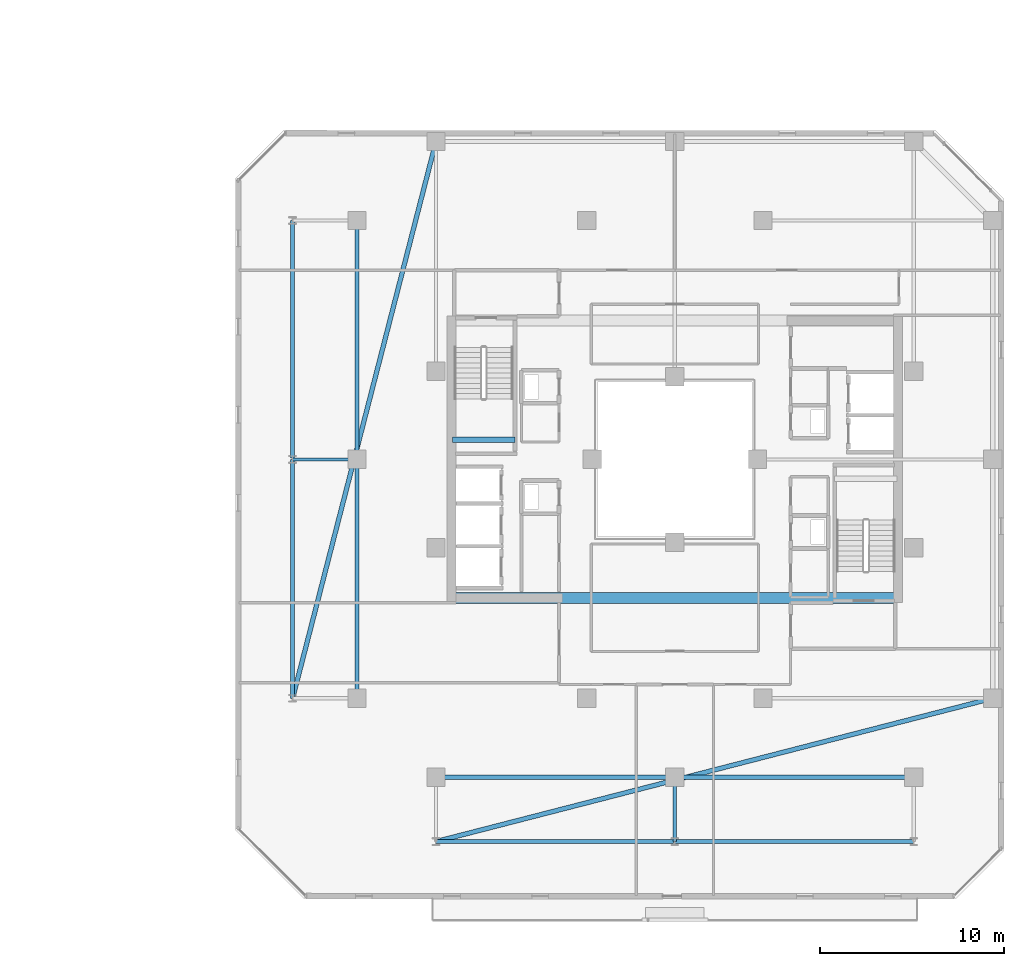
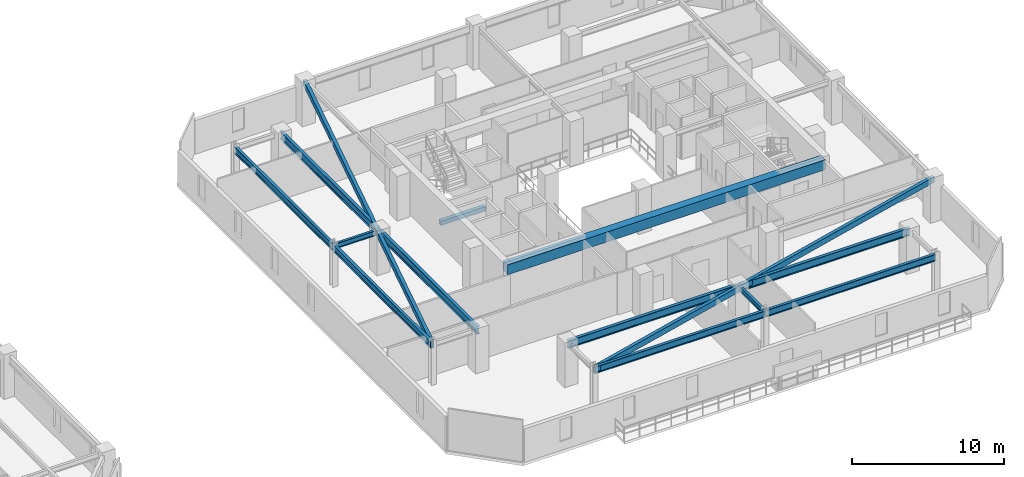
# One storey, part 12 of 33: 14 beams.
"""IFC4 building model written with IfcOpenShell, lengths in metres."""

from ifc_helpers import new_model, si_unit, direction, frame, origin, origin_2d, place, context, subcontext, project, spatial, rectangle, hollow_rectangle, i_section, extrude, material, material_profile, profile_set, type_object, element, save


model = new_model("IFC4")

# Units and contexts
model_context = context("Model", 3, precision=1e-05, world=origin(), true_north=direction((0.0, 1.0)))
body_context = subcontext(model_context, "Body", "Model", "MODEL_VIEW")
ifc_project = project(units=[si_unit("LENGTHUNIT", "METRE"), si_unit("AREAUNIT", "SQUARE_METRE"), si_unit("VOLUMEUNIT", "CUBIC_METRE"), si_unit("PLANEANGLEUNIT", "RADIAN"), si_unit("MASSUNIT", "GRAM", prefix="KILO")], contexts=[model_context])

# Site, building, storey
site_placement = place(None, origin())
site = spatial("IfcSite", under=ifc_project, at=site_placement, CompositionType="ELEMENT")
building_placement = place(site_placement, origin())
building = spatial("IfcBuilding", under=site, at=building_placement, Name="Thornwick Lancets Civic Towers", CompositionType="ELEMENT")
storey_placement = place(building_placement, frame((0.0, 0.0, 207.300048828125)))
storey = spatial("IfcBuildingStorey", under=building, at=storey_placement, Name="L55", CompositionType="ELEMENT", Elevation=207.300048828125)

# Beams
ifc_material_1 = material(Name="Concrete C60/75", Category="concrete")
ifc_material_profile_1 = material_profile(ifc_material_1, rectangle(XDim=0.60009765625, YDim=0.800048828125, at=origin_2d()), Name="RC 600x800")
ifc_profile_set_1 = profile_set([ifc_material_profile_1], Name="Concrete C60/75")
beam_type_1 = type_object("IfcBeamType", Name="BM_COUP_RC800", PredefinedType="BEAM", material=ifc_profile_set_1)
beam_1_placement = place(storey_placement, frame((76.39990234375, 19.449951171875, 2.9599609375), z_axis=(1.0, 0.0, 0.0), x_axis=(0.0, 1.0, 0.0)))
element("IfcBeam", 1, at=beam_1_placement, inside=storey, type_object=beam_type_1, Name="CB-L55-B2", PredefinedType="BEAM", context=body_context, shape_type="SweptSolid", body=[
    extrude(rectangle(XDim=0.60009765625, YDim=0.800048828125, at=origin_2d()), origin(), (0.0, 0.0, 1.0), 24.2001953125),
])
ifc_material_2 = material(Name="Steel S355JR", Category="steel")
ifc_material_profile_2 = material_profile(ifc_material_2, i_section(OverallWidth=0.210693359375, OverallDepth=0.53955078125, WebThickness=0.01171875, FlangeThickness=0.018798828125, FilletRadius=0.0126953125, at=origin_2d()), Name="UKB 533x210x109")
ifc_profile_set_2 = profile_set([ifc_material_profile_2], Name="Steel S355JR")
beam_type_2 = type_object("IfcBeamType", Name="BM_EDGE_533_109", PredefinedType="SPANDREL", material=ifc_profile_set_2)
beam_2_placement = place(storey_placement, frame((67.699951171875, 14.0, 3.09033203125), z_axis=(0.0, 1.0, 0.0), x_axis=(-1.0, 0.0, 0.0)))
element("IfcBeam", 2, at=beam_2_placement, inside=storey, type_object=beam_type_2, Name="BM-EDGE-L55-B-S2-1", PredefinedType="SPANDREL", context=body_context, shape_type="SweptSolid", body=[
    extrude(i_section(OverallWidth=0.210693359375, OverallDepth=0.53955078125, WebThickness=0.01171875, FlangeThickness=0.018798828125, FilletRadius=0.0126953125, at=origin_2d()), origin(), (0.0, 0.0, 1.0), 13.0),
])
beam_3_placement = place(storey_placement, frame((67.699951171875, 27.080078125, 3.09033203125), z_axis=(0.0, 1.0, 0.0), x_axis=(-1.0, 0.0, 0.0)))
element("IfcBeam", 3, at=beam_3_placement, inside=storey, type_object=beam_type_2, Name="BM-EDGE-L55-B-S2-2", PredefinedType="SPANDREL", context=body_context, shape_type="SweptSolid", body=[
    extrude(i_section(OverallWidth=0.210693359375, OverallDepth=0.53955078125, WebThickness=0.01171875, FlangeThickness=0.018798828125, FilletRadius=0.0126953125, at=origin_2d()), origin(), (0.0, 0.0, 1.0), 12.919921875),
])
beam_4_placement = place(storey_placement, frame((101.5, 6.199951171875, 3.09033203125), z_axis=(-1.0, 0.0, 0.0), x_axis=(0.0, -1.0, 0.0)))
element("IfcBeam", 4, at=beam_4_placement, inside=storey, type_object=beam_type_2, Name="BM-EDGE-L55-B-S3-1", PredefinedType="SPANDREL", context=body_context, shape_type="SweptSolid", body=[
    extrude(i_section(OverallWidth=0.210693359375, OverallDepth=0.53955078125, WebThickness=0.01171875, FlangeThickness=0.018798828125, FilletRadius=0.0126953125, at=origin_2d()), origin(), (0.0, 0.0, 1.0), 13.0),
])
beam_5_placement = place(storey_placement, frame((88.419921875, 6.199951171875, 3.09033203125), z_axis=(-1.0, 0.0, 0.0), x_axis=(0.0, -1.0, 0.0)))
element("IfcBeam", 5, at=beam_5_placement, inside=storey, type_object=beam_type_2, Name="BM-EDGE-L55-B-S3-2", PredefinedType="SPANDREL", context=body_context, shape_type="SweptSolid", body=[
    extrude(i_section(OverallWidth=0.210693359375, OverallDepth=0.53955078125, WebThickness=0.01171875, FlangeThickness=0.018798828125, FilletRadius=0.0126953125, at=origin_2d()), origin(), (0.0, 0.0, 1.0), 12.919921875),
])
ifc_material_profile_3 = material_profile(ifc_material_2, i_section(OverallWidth=0.230224609375, OverallDepth=0.6171875, WebThickness=0.01318359375, FlangeThickness=0.022216796875, FilletRadius=0.0126953125, at=origin_2d()), Name="UKB 610x229x140")
ifc_profile_set_3 = profile_set([ifc_material_profile_3], Name="Steel S355JR")
beam_type_3 = type_object("IfcBeamType", Name="BM_GIRD_610_140", PredefinedType="BEAM", material=ifc_profile_set_3)
beam_6_placement = place(storey_placement, frame((71.199951171875, 14.0, 3.05126953125), z_axis=(0.0, 1.0, 0.0), x_axis=(-1.0, 0.0, 0.0)))
element("IfcBeam", 6, at=beam_6_placement, inside=storey, type_object=beam_type_3, Name="BM-SPINE-L55-B-6-7", PredefinedType="BEAM", context=body_context, shape_type="SweptSolid", body=[
    extrude(i_section(OverallWidth=0.230224609375, OverallDepth=0.6171875, WebThickness=0.01318359375, FlangeThickness=0.022216796875, FilletRadius=0.0126953125, at=origin_2d()), origin(), (0.0, 0.0, 1.0), 13.0),
])
beam_7_placement = place(storey_placement, frame((71.199951171875, 27.080078125, 3.05126953125), z_axis=(0.0, 1.0, 0.0), x_axis=(-1.0, 0.0, 0.0)))
element("IfcBeam", 7, at=beam_7_placement, inside=storey, type_object=beam_type_3, Name="BM-SPINE-L55-B-7-8", PredefinedType="BEAM", context=body_context, shape_type="SweptSolid", body=[
    extrude(i_section(OverallWidth=0.230224609375, OverallDepth=0.6171875, WebThickness=0.01318359375, FlangeThickness=0.022216796875, FilletRadius=0.0126953125, at=origin_2d()), origin(), (0.0, 0.0, 1.0), 12.919921875),
])
beam_8_placement = place(storey_placement, frame((101.5, 9.699951171875, 3.05126953125), z_axis=(-1.0, 0.0, 0.0), x_axis=(0.0, -1.0, 0.0)))
element("IfcBeam", 8, at=beam_8_placement, inside=storey, type_object=beam_type_3, Name="BM-SPINE-L55-B-9-10", PredefinedType="BEAM", context=body_context, shape_type="SweptSolid", body=[
    extrude(i_section(OverallWidth=0.230224609375, OverallDepth=0.6171875, WebThickness=0.01318359375, FlangeThickness=0.022216796875, FilletRadius=0.0126953125, at=origin_2d()), origin(), (0.0, 0.0, 1.0), 13.0),
])
beam_9_placement = place(storey_placement, frame((88.419921875, 9.699951171875, 3.05126953125), z_axis=(-1.0, 0.0, 0.0), x_axis=(0.0, -1.0, 0.0)))
element("IfcBeam", 9, at=beam_9_placement, inside=storey, type_object=beam_type_3, Name="BM-SPINE-L55-B-10-11", PredefinedType="BEAM", context=body_context, shape_type="SweptSolid", body=[
    extrude(i_section(OverallWidth=0.230224609375, OverallDepth=0.6171875, WebThickness=0.01318359375, FlangeThickness=0.022216796875, FilletRadius=0.0126953125, at=origin_2d()), origin(), (0.0, 0.0, 1.0), 12.919921875),
])
ifc_material_profile_4 = material_profile(ifc_material_2, i_section(OverallWidth=0.179443359375, OverallDepth=0.412841796875, WebThickness=0.009521484375, FlangeThickness=0.01611328125, FilletRadius=0.01025390625, at=origin_2d()), Name="UKB 406x178x74")
ifc_profile_set_4 = profile_set([ifc_material_profile_4], Name="Steel S355JR")
beam_type_4 = type_object("IfcBeamType", Name="BM_JOIST_406_74", PredefinedType="JOIST", material=ifc_profile_set_4)
for number, where, z_axis, x_axis, name in (
    (10, (71.199951171875, 27.0, 3.153564453125), (-1.0, 0.0, 0.0), (0.0, -1.0, 0.0), "BM-RAD-L55-B08"),
    (11, (88.5, 9.699951171875, 3.153564453125), (0.0, -1.0, 0.0), (1.0, 0.0, 0.0), "BM-RAD-L55-B11"),
):
    element("IfcBeam", number, at=place(storey_placement, frame(where, z_axis=z_axis, x_axis=x_axis)), inside=storey, type_object=beam_type_4, Name=name, PredefinedType="JOIST", context=body_context, shape_type="SweptSolid", body=[
        extrude(i_section(OverallWidth=0.179443359375, OverallDepth=0.412841796875, WebThickness=0.009521484375, FlangeThickness=0.01611328125, FilletRadius=0.01025390625, at=origin_2d()), origin(), (0.0, 0.0, 1.0), 3.5),
    ])
ifc_material_profile_5 = material_profile(ifc_material_2, hollow_rectangle(XDim=0.25, YDim=0.449951171875, WallThickness=0.01611328125, at=origin_2d()), Name="RHS 450x250x16")
ifc_profile_set_5 = profile_set([ifc_material_profile_5], Name="Steel S355JR")
beam_type_5 = type_object("IfcBeamType", Name="BM_RING_RHS450", PredefinedType="BEAM", material=ifc_profile_set_5)
for number, where, z_axis, x_axis, name in (
    (12, (75.5, 44.300048828125, 3.135009765625), (-0.249299080716, -0.96842654257, 0.0), (0.96842654257, -0.249299080716, 0.0), "BM-CHAMF-L55-B-C1"),
    (13, (75.5, 6.199951171875, 3.135009765625), (0.96842654257, 0.249299080716, 0.0), (-0.249299080716, 0.96842654257, 0.0), "BM-CHAMF-L55-B-C3"),
):
    element("IfcBeam", number, at=place(storey_placement, frame(where, z_axis=z_axis, x_axis=x_axis)), inside=storey, type_object=beam_type_5, Name=name, PredefinedType="BEAM", context=body_context, shape_type="SweptSolid", body=[
        extrude(hollow_rectangle(XDim=0.25, YDim=0.449951171875, WallThickness=0.01611328125, at=origin_2d()), origin(), (0.0, 0.0, 1.0), 31.287841796875),
    ])
ifc_material_3 = material(Name="Concrete C40/50", Category="concrete")
ifc_material_profile_6 = material_profile(ifc_material_3, rectangle(XDim=0.300048828125, YDim=0.35009765625, at=origin_2d()), Name="RC 300x350")
ifc_profile_set_6 = profile_set([ifc_material_profile_6], Name="Concrete C40/50")
beam_type_6 = type_object("IfcBeamType", Name="BM_STAIR_LDG", PredefinedType="BEAM", material=ifc_profile_set_6)
beam_10_placement = place(storey_placement, frame((76.39990234375, 28.06494140625, 1.3779296875), z_axis=(1.0, 0.0, 0.0), x_axis=(0.0, 1.0, 0.0)))
element("IfcBeam", 14, at=beam_10_placement, inside=storey, type_object=beam_type_6, Name="L55 ST-B2 Landing Support Beam 1", PredefinedType="BEAM", context=body_context, shape_type="SweptSolid", body=[
    extrude(rectangle(XDim=0.300048828125, YDim=0.35009765625, at=origin_2d()), origin(), (0.0, 0.0, 1.0), 3.400146484375),
])

save(model, "model.ifc")
